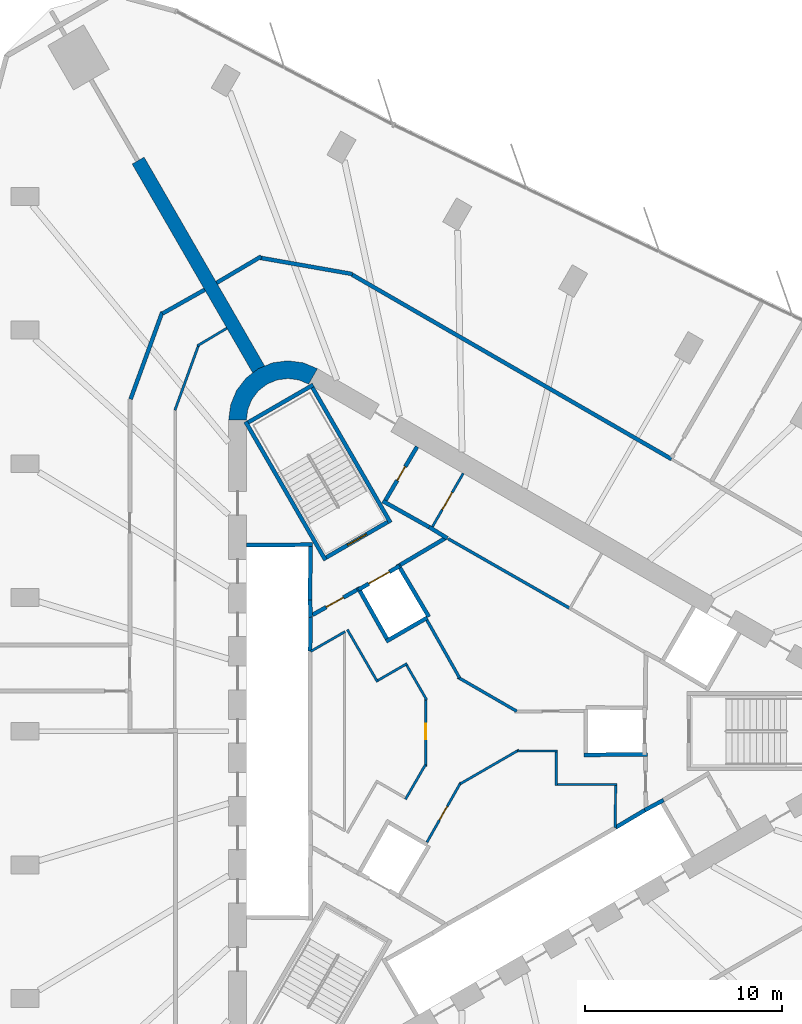
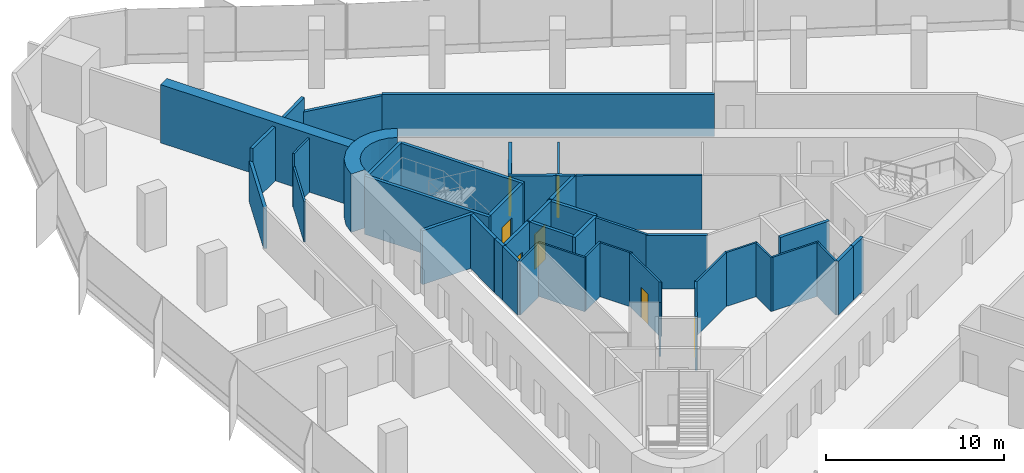
# One storey, part 10 of 13: 45 walls, 7 doors, 7 openings.
"""IFC4 building model written with IfcOpenShell, lengths in metres."""

from ifc_helpers import new_model, si_unit, direction, frame, frame_2d, origin, place, context, subcontext, project, spatial, polyline, rectangle, outline, extrude, material, layer, layer_set, type_object, element, fill, save


model = new_model("IFC4")

# Units and contexts
model_context = context("Model", 3, precision=1e-05, world=origin(), true_north=direction((0.0, 1.0)))
body_context = subcontext(model_context, "Body", "Model", "MODEL_VIEW")
ifc_project = project(units=[si_unit("LENGTHUNIT", "METRE"), si_unit("AREAUNIT", "SQUARE_METRE"), si_unit("VOLUMEUNIT", "CUBIC_METRE"), si_unit("PLANEANGLEUNIT", "RADIAN"), si_unit("MASSUNIT", "GRAM", prefix="KILO")], contexts=[model_context])

# Site, building, storey
site_placement = place(None, origin())
site = spatial("IfcSite", under=ifc_project, at=site_placement, CompositionType="ELEMENT")
building_placement = place(site_placement, origin())
building = spatial("IfcBuilding", under=site, at=building_placement, Name="Tanit Gate Tower", CompositionType="ELEMENT")
storey_placement = place(building_placement, frame((0.0, 0.0, 185.199951171875)))
storey = spatial("IfcBuildingStorey", under=building, at=storey_placement, Name="L40", CompositionType="ELEMENT", Elevation=185.199951171875)

# Walls
ifc_material_1 = material(Name="Concrete C50/60", Category="concrete")
ifc_layer_1 = layer(ifc_material_1, 0.699951171875)
ifc_layer_set_1 = layer_set([ifc_layer_1], Name="BUTTRESS FIN 700 C50/60")
wall_type_1 = type_object("IfcWallType", Name="BUTTRESS FIN 700 C50/60", PredefinedType="SHEAR", material=ifc_layer_set_1)
wall_1_placement = place(storey_placement, frame((-10.574951171875, 18.31640625, 0.0), z_axis=(0.0, 0.0, 1.0), x_axis=(-0.500002625756, 0.866023887798, 0.0)))
element("IfcWall", 1, at=wall_1_placement, inside=storey, type_object=wall_type_1, Name="BUTTRESS FIN", PredefinedType="SHEAR", context=body_context, shape_type="SweptSolid", body=[
    extrude(rectangle(XDim=12.2197265625, YDim=0.699951171875, at=frame_2d((6.10986328125, 0.0))), origin(), (0.0, 0.0, 1.0), 4.0),
])
ifc_material_2 = material(Name="Concrete C50/60", Category="concrete")
ifc_layer_2 = layer(ifc_material_2, 0.89990234375)
ifc_layer_set_2 = layer_set([ifc_layer_2], Name="CORE WALL 900 C50/60")
wall_type_2 = type_object("IfcWallType", Name="CORE WALL 900 C50/60", PredefinedType="SHEAR", material=ifc_layer_set_2)
wall_2_placement = place(storey_placement, origin())
element("IfcWall", 2, at=wall_2_placement, inside=storey, type_object=wall_type_2, Name="CORE WALL CORNER", PredefinedType="SHEAR", context=body_context, shape_type="SweptSolid", body=[
    extrude(outline(polyline([(-7.60009765625, 18.359619140625), (-8.323486328125, 18.659423828125), (-9.10009765625, 18.76171875), (-9.87646484375, 18.659423828125), (-10.60009765625, 18.359619140625), (-11.22119140625, 17.883056640625), (-11.697998046875, 17.26171875), (-11.997802734375, 16.5380859375), (-12.10009765625, 15.76171875), (-11.199951171875, 15.76171875), (-11.12841796875, 16.30517578125), (-10.918701171875, 16.811767578125), (-10.5849609375, 17.24658203125), (-10.14990234375, 17.580322265625), (-9.6435546875, 17.7900390625), (-9.10009765625, 17.86181640625), (-8.556396484375, 17.7900390625), (-8.050048828125, 17.580322265625), (-7.60009765625, 18.359619140625)])), origin(), (0.0, 0.0, 1.0), 4.0),
])
ifc_material_3 = material(Name="Fire-rated gypsum board partition")
ifc_layer_3 = layer(ifc_material_3, 0.199951171875)
ifc_layer_set_3 = layer_set([ifc_layer_3], Name="INT-WALL-COMPARTMENT")
wall_type_3 = type_object("IfcWallType", Name="INT-WALL-COMPARTMENT", PredefinedType="PARTITIONING", material=ifc_layer_set_3)
wall_3_placement = place(storey_placement, frame((-1.940673828125, 10.338623046875, 0.0), z_axis=(0.0, 0.0, 1.0), x_axis=(0.850216889117, -0.526432561171, 0.0)))
element("IfcWall", 3, at=wall_3_placement, inside=storey, type_object=wall_type_3, Name="Wall Compartment W053", PredefinedType="PARTITIONING", context=body_context, shape_type="SweptSolid", body=[
    extrude(rectangle(XDim=1.078369140625, YDim=0.199951171875, at=frame_2d((0.5390625, 0.0))), origin(), (0.0, 0.0, 1.0), 3.699951171875),
])
wall_4_placement = place(storey_placement, frame((-4.296142578125, 11.658935546875, 0.0), z_axis=(0.0, 0.0, 1.0), x_axis=(0.871534483978, -0.490334215854, 0.0)))
element("IfcWall", 4, at=wall_4_placement, inside=storey, type_object=wall_type_3, Name="Wall Compartment W055", PredefinedType="PARTITIONING", context=body_context, shape_type="SweptSolid", body=[
    extrude(rectangle(XDim=2.7001953125, YDim=0.199951171875, at=frame_2d((1.35009765625, 0.0))), origin(), (0.0, 0.0, 1.0), 3.699951171875),
])

# Wall, opening, door
wall_5_placement = place(storey_placement, frame((-2.557861328125, 14.409423828125, 0.0), z_axis=(0.0, 0.0, 1.0), x_axis=(-0.508018930956, -0.861345903683, 0.0)))
wall_5 = element("IfcWall", 5, at=wall_5_placement, inside=storey, type_object=wall_type_3, Name="Wall Compartment W056", PredefinedType="PARTITIONING", context=body_context, shape_type="SweptSolid", body=[
    extrude(rectangle(XDim=3.150146484375, YDim=0.199951171875, at=frame_2d((1.5751953125, 0.0))), origin(), (0.0, 0.0, 1.0), 3.699951171875),
])
opening_1_placement = place(wall_5_placement, frame((1.175048828125, 0.0, 0.0)))
opening_1 = element("IfcOpeningElement", 6, at=opening_1_placement, cuts=wall_5, Name="Opening R08-S10-15", PredefinedType="OPENING", context=body_context, shape_type="SweptSolid", body=[
    extrude(rectangle(XDim=0.800048828125, YDim=2.10009765625, at=frame_2d((0.39990234375, 1.050048828125))), frame((0.0, 0.10986328125, 0.0), z_axis=(0.0, -1.0, 0.0), x_axis=(1.0, 0.0, 0.0)), (0.0, 0.0, 1.0), 0.219970703125),
])
ifc_material_4 = material(Name="Timber door leaf", Category="wood")
door_type_1 = type_object("IfcDoorType", Name="INT-DOOR-RISER-800", OperationType="NOTDEFINED", PredefinedType="USERDEFINED", material=ifc_material_4)
door_1_placement = place(opening_1_placement, origin())
door_1 = element("IfcDoor", 7, at=door_1_placement, inside=storey, type_object=door_type_1, Name="Door R08-S10-15", ObjectType="FIRE DOOR", OperationType="SINGLE_SWING_RIGHT", OverallHeight=2.10009765625, OverallWidth=0.800048828125, PredefinedType="USERDEFINED", context=body_context, shape_type="SweptSolid", body=[
    extrude(rectangle(XDim=0.800048828125, YDim=2.10009765625, at=frame_2d((0.39990234375, 1.050048828125))), frame((0.0, 0.02490234375, 0.0), z_axis=(0.0, -1.0, 0.0), x_axis=(1.0, 0.0, 0.0)), (0.0, 0.0, 1.0), 0.050048828125),
])
fill(opening_1, door_1)

# Wall
wall_6_placement = place(storey_placement, frame((-1.0546875, 9.818359375, 0.0), z_axis=(0.0, 0.0, 1.0), x_axis=(-0.860614334655, -0.50925726994, 0.0)))
element("IfcWall", 8, at=wall_6_placement, inside=storey, type_object=wall_type_3, Name="Wall Compartment W061", PredefinedType="PARTITIONING", context=body_context, shape_type="SweptSolid", body=[
    extrude(rectangle(XDim=2.725830078125, YDim=0.199951171875, at=frame_2d((1.36279296875, 0.0))), origin(), (0.0, 0.0, 1.0), 3.699951171875),
])

# Wall, opening, door
wall_7_placement = place(storey_placement, frame((-5.600341796875, 7.16015625, 0.0), z_axis=(0.0, 0.0, 1.0), x_axis=(-0.871363259478, -0.490638431059, 0.0)))
wall_7 = element("IfcWall", 9, at=wall_7_placement, inside=storey, type_object=wall_type_3, Name="Wall Compartment W062", PredefinedType="PARTITIONING", context=body_context, shape_type="SweptSolid", body=[
    extrude(rectangle(XDim=2.5810546875, YDim=0.199951171875, at=frame_2d((1.29052734375, 0.0))), origin(), (0.0, 0.0, 1.0), 3.699951171875),
])
opening_2_placement = place(wall_7_placement, frame((0.79052734375, 0.0, 0.0)))
opening_2 = element("IfcOpeningElement", 10, at=opening_2_placement, cuts=wall_7, Name="Opening F10-S10-05", PredefinedType="OPENING", context=body_context, shape_type="SweptSolid", body=[
    extrude(rectangle(XDim=1.0, YDim=2.10009765625, at=frame_2d((0.5, 1.050048828125))), frame((0.0, 0.10986328125, 0.0), z_axis=(0.0, -1.0, 0.0), x_axis=(1.0, 0.0, 0.0)), (0.0, 0.0, 1.0), 0.219970703125),
])
ifc_material_5 = material(Name="Fire-rated steel door leaf", Category="steel")
door_type_2 = type_object("IfcDoorType", Name="INT-DOOR-FIRE-1000", OperationType="NOTDEFINED", PredefinedType="USERDEFINED", material=ifc_material_5)
door_2_placement = place(opening_2_placement, origin())
door_2 = element("IfcDoor", 11, at=door_2_placement, inside=storey, type_object=door_type_2, Name="Door F10-S10-05", ObjectType="FIRE DOOR", OperationType="SINGLE_SWING_RIGHT", OverallHeight=2.10009765625, OverallWidth=1.0, PredefinedType="USERDEFINED", context=body_context, shape_type="SweptSolid", body=[
    extrude(rectangle(XDim=1.0, YDim=2.10009765625, at=frame_2d((0.5, 1.050048828125))), frame((0.0, 0.02490234375, 0.0), z_axis=(0.0, -1.0, 0.0), x_axis=(1.0, 0.0, 0.0)), (0.0, 0.0, 1.0), 0.050048828125),
])
fill(opening_2, door_2)

# Walls
wall_8_placement = place(storey_placement, frame((-15.456298828125, 21.238525390625, 0.0), z_axis=(0.0, 0.0, 1.0), x_axis=(-0.34205546997, -0.939679762187, 0.0)))
element("IfcWall", 12, at=wall_8_placement, inside=storey, type_object=wall_type_3, Name="Wall Compartment W091", PredefinedType="PARTITIONING", context=body_context, shape_type="SweptSolid", body=[
    extrude(rectangle(XDim=4.705810546875, YDim=0.199951171875, at=frame_2d((2.35302734375, 0.0))), origin(), (0.0, 0.0, 1.0), 2.780029296875),
])
wall_9_placement = place(storey_placement, frame((-13.31298828125, 22.35888671875, 0.0), z_axis=(0.0, 0.0, 1.0), x_axis=(-0.87121710687, -0.490897904555, 0.0)))
element("IfcWall", 13, at=wall_9_placement, inside=storey, type_object=wall_type_3, Name="Wall Compartment W092", PredefinedType="PARTITIONING", context=body_context, shape_type="SweptSolid", body=[
    extrude(rectangle(XDim=2.457275390625, YDim=0.199951171875, at=frame_2d((1.228515625, 0.0))), origin(), (0.0, 0.0, 1.0), 3.699951171875),
])
wall_10_placement = place(storey_placement, frame((-10.449462890625, 24.0439453125, 0.0), z_axis=(0.0, 0.0, 1.0), x_axis=(-0.860744847861, -0.509036645912, 0.0)))
element("IfcWall", 14, at=wall_10_placement, inside=storey, type_object=wall_type_3, Name="Wall Compartment W097", PredefinedType="PARTITIONING", context=body_context, shape_type="SweptSolid", body=[
    extrude(rectangle(XDim=2.62255859375, YDim=0.199951171875, at=frame_2d((1.311279296875, 0.0))), origin(), (0.0, 0.0, 1.0), 3.699951171875),
])
wall_11_placement = place(storey_placement, frame((-5.833740234375, 23.153076171875, 0.0), z_axis=(0.0, 0.0, 1.0), x_axis=(-0.98481258102, 0.173620794447, 0.0)))
element("IfcWall", 15, at=wall_11_placement, inside=storey, type_object=wall_type_3, Name="Wall Compartment W098", PredefinedType="PARTITIONING", context=body_context, shape_type="SweptSolid", body=[
    extrude(rectangle(XDim=4.740234375, YDim=0.199951171875, at=frame_2d((2.3701171875, 0.0))), origin(), (0.0, 0.0, 1.0), 2.780029296875),
])
wall_12_placement = place(storey_placement, frame((10.325439453125, 13.783935546875, 0.0), z_axis=(0.0, 0.0, 1.0), x_axis=(-0.866025119466, 0.500000492453, 0.0)))
element("IfcWall", 16, at=wall_12_placement, inside=storey, type_object=wall_type_3, Name="Wall Compartment W099", PredefinedType="PARTITIONING", context=body_context, shape_type="SweptSolid", body=[
    extrude(rectangle(XDim=18.6728515625, YDim=0.199951171875, at=frame_2d((9.33642578125, 0.0))), origin(), (0.0, 0.0, 1.0), 2.880126953125),
])

# Wall, opening, door
ifc_material_6 = material(Name="Gypsum board partition")
ifc_layer_4 = layer(ifc_material_6, 0.1201171875)
ifc_layer_set_4 = layer_set([ifc_layer_4], Name="INT-WALL-PARTITION")
wall_type_4 = type_object("IfcWallType", Name="INT-WALL-PARTITION", PredefinedType="PARTITIONING", material=ifc_layer_set_4)
wall_13_placement = place(storey_placement, frame((-0.2197265625, 13.0595703125, 0.0), z_axis=(0.0, 0.0, 1.0), x_axis=(-0.499984717929, -0.866034226713, 0.0)))
wall_13 = element("IfcWall", 17, at=wall_13_placement, inside=storey, type_object=wall_type_4, Name="Wall Partition W052", PredefinedType="PARTITIONING", context=body_context, shape_type="SweptSolid", body=[
    extrude(rectangle(XDim=3.25, YDim=0.1201171875, at=frame_2d((1.625, 0.0))), origin(), (0.0, 0.0, 1.0), 3.699951171875),
])
opening_3_placement = place(wall_13_placement, frame((1.125, 0.0, 0.0)))
opening_3 = element("IfcOpeningElement", 18, at=opening_3_placement, cuts=wall_13, Name="Opening D10-S10-31", PredefinedType="OPENING", context=body_context, shape_type="SweptSolid", body=[
    extrude(rectangle(XDim=1.0, YDim=2.10009765625, at=frame_2d((0.5, 1.050048828125))), frame((0.0, 0.070068359375, 0.0), z_axis=(0.0, -1.0, 0.0), x_axis=(1.0, 0.0, 0.0)), (0.0, 0.0, 1.0), 0.14013671875),
])
ifc_material_7 = material(Name="Timber door leaf", Category="wood")
door_type_3 = type_object("IfcDoorType", Name="INT-DOOR-SINGLE-1000", OperationType="NOTDEFINED", PredefinedType="NOTDEFINED", material=ifc_material_7)
door_3_placement = place(opening_3_placement, origin())
door_3 = element("IfcDoor", 19, at=door_3_placement, inside=storey, type_object=door_type_3, Name="Door D10-S10-31", OperationType="SINGLE_SWING_RIGHT", OverallHeight=2.10009765625, OverallWidth=1.0, PredefinedType="NOTDEFINED", context=body_context, shape_type="SweptSolid", body=[
    extrude(rectangle(XDim=1.0, YDim=2.10009765625, at=frame_2d((0.5, 1.050048828125))), frame((0.0, 0.02490234375, 0.0), z_axis=(0.0, -1.0, 0.0), x_axis=(1.0, 0.0, 0.0)), (0.0, 0.0, 1.0), 0.050048828125),
])
fill(opening_3, door_3)

wall_14_placement = place(storey_placement, frame((-0.339599609375, -2.58642578125, 0.0), z_axis=(0.0, 0.0, 1.0), x_axis=(-0.492647196214, -0.870229130782, 0.0)))
wall_14 = element("IfcWall", 20, at=wall_14_placement, inside=storey, type_object=wall_type_4, Name="Wall Partition W068", PredefinedType="PARTITIONING", context=body_context, shape_type="SweptSolid", body=[
    extrude(rectangle(XDim=3.490234375, YDim=0.1201171875, at=frame_2d((1.7451171875, 0.0))), origin(), (0.0, 0.0, 1.0), 3.699951171875),
])
opening_4_placement = place(wall_14_placement, frame((1.396240234375, 0.0, 0.0)))
opening_4 = element("IfcOpeningElement", 21, at=opening_4_placement, cuts=wall_14, Name="Opening R08-S10-11", PredefinedType="OPENING", context=body_context, shape_type="SweptSolid", body=[
    extrude(rectangle(XDim=0.800048828125, YDim=2.10009765625, at=frame_2d((0.39990234375, 1.050048828125))), frame((0.0, 0.070068359375, 0.0), z_axis=(0.0, -1.0, 0.0), x_axis=(1.0, 0.0, 0.0)), (0.0, 0.0, 1.0), 0.14013671875),
])
door_4_placement = place(opening_4_placement, origin())
door_4 = element("IfcDoor", 22, at=door_4_placement, inside=storey, type_object=door_type_1, Name="Door R08-S10-11", ObjectType="FIRE DOOR", OperationType="SINGLE_SWING_RIGHT", OverallHeight=2.10009765625, OverallWidth=0.800048828125, PredefinedType="USERDEFINED", context=body_context, shape_type="SweptSolid", body=[
    extrude(rectangle(XDim=0.800048828125, YDim=2.10009765625, at=frame_2d((0.39990234375, 1.050048828125))), frame((0.0, 0.02490234375, 0.0), z_axis=(0.0, -1.0, 0.0), x_axis=(1.0, 0.0, 0.0)), (0.0, 0.0, 1.0), 0.050048828125),
])
fill(opening_4, door_4)

# Walls
wall_15_placement = place(storey_placement, frame((2.6015625, -0.947998046875, 0.0), z_axis=(0.0, 0.0, 1.0), x_axis=(-0.866025804792, -0.499999305434, 0.0)))
element("IfcWall", 23, at=wall_15_placement, inside=storey, type_object=wall_type_4, Name="Wall Partition W069", PredefinedType="PARTITIONING", context=body_context, shape_type="SweptSolid", body=[
    extrude(rectangle(XDim=3.43505859375, YDim=0.1201171875, at=frame_2d((1.717529296875, 0.0))), origin(), (0.0, 0.0, 1.0), 3.699951171875),
])
wall_16_placement = place(storey_placement, frame((4.56005859375, -1.0, 0.0), z_axis=(0.0, 0.0, 1.0), x_axis=(-1.0, 0.0, 0.0)))
element("IfcWall", 24, at=wall_16_placement, inside=storey, type_object=wall_type_4, Name="Wall Partition W070", PredefinedType="PARTITIONING", context=body_context, shape_type="SweptSolid", body=[
    extrude(rectangle(XDim=2.030029296875, YDim=0.1201171875, at=frame_2d((1.01513671875, 0.0))), origin(), (0.0, 0.0, 1.0), 3.699951171875),
])
wall_17_placement = place(storey_placement, frame((4.5, -2.760009765625, 0.0), z_axis=(0.0, 0.0, 1.0), x_axis=(0.0, 1.0, 0.0)))
element("IfcWall", 25, at=wall_17_placement, inside=storey, type_object=wall_type_4, Name="Wall Partition W071", PredefinedType="PARTITIONING", context=body_context, shape_type="SweptSolid", body=[
    extrude(rectangle(XDim=1.699951171875, YDim=0.1201171875, at=frame_2d((0.85009765625, 0.0))), origin(), (0.0, 0.0, 1.0), 3.699951171875),
])
wall_18_placement = place(storey_placement, frame((7.56005859375, -2.699951171875, 0.0), z_axis=(0.0, 0.0, 1.0), x_axis=(-1.0, 0.0, 0.0)))
element("IfcWall", 26, at=wall_18_placement, inside=storey, type_object=wall_type_4, Name="Wall Partition W072", PredefinedType="PARTITIONING", context=body_context, shape_type="SweptSolid", body=[
    extrude(rectangle(XDim=3.0, YDim=0.1201171875, at=frame_2d((1.5, 0.0))), origin(), (0.0, 0.0, 1.0), 3.699951171875),
])
wall_19_placement = place(storey_placement, frame((7.474609375, -4.864501953125, 0.0), z_axis=(0.0, 0.0, 1.0), x_axis=(0.011716133148, 0.999931363757, 0.0)))
element("IfcWall", 27, at=wall_19_placement, inside=storey, type_object=wall_type_4, Name="Wall Partition W073", PredefinedType="PARTITIONING", context=body_context, shape_type="SweptSolid", body=[
    extrude(rectangle(XDim=2.104736328125, YDim=0.1201171875, at=frame_2d((1.05224609375, 0.0))), origin(), (0.0, 0.0, 1.0), 3.699951171875),
])
wall_20_placement = place(storey_placement, frame((-6.201416015625, 5.045654296875, 0.0), z_axis=(0.0, 0.0, 1.0), x_axis=(-0.867071050325, -0.498184497639, 0.0)))
element("IfcWall", 28, at=wall_20_placement, inside=storey, type_object=wall_type_4, Name="Wall Partition W076", PredefinedType="PARTITIONING", context=body_context, shape_type="SweptSolid", body=[
    extrude(rectangle(XDim=2.0166015625, YDim=0.1201171875, at=frame_2d((1.00830078125, 0.0))), origin(), (0.0, 0.0, 1.0), 3.699951171875),
])
wall_21_placement = place(storey_placement, frame((-4.558349609375, 2.4951171875, 0.0), z_axis=(0.0, 0.0, 1.0), x_axis=(-0.499991792115, 0.866030142557, 0.0)))
element("IfcWall", 29, at=wall_21_placement, inside=storey, type_object=wall_type_4, Name="Wall Partition W077", PredefinedType="PARTITIONING", context=body_context, shape_type="SweptSolid", body=[
    extrude(rectangle(XDim=3.06005859375, YDim=0.1201171875, at=frame_2d((1.530029296875, 0.0))), origin(), (0.0, 0.0, 1.0), 3.699951171875),
])
wall_22_placement = place(storey_placement, frame((-3.06396484375, 3.427001953125, 0.0), z_axis=(0.0, 0.0, 1.0), x_axis=(-0.866087547558, -0.499892348375, 0.0)))
element("IfcWall", 30, at=wall_22_placement, inside=storey, type_object=wall_type_4, Name="Wall Partition W078", PredefinedType="PARTITIONING", context=body_context, shape_type="SweptSolid", body=[
    extrude(rectangle(XDim=1.699951171875, YDim=0.1201171875, at=frame_2d((0.85009765625, 0.0))), origin(), (0.0, 0.0, 1.0), 3.699951171875),
])
wall_23_placement = place(storey_placement, frame((-2.06982421875, 1.5849609375, 0.0), z_axis=(0.0, 0.0, 1.0), x_axis=(-0.499937346687, 0.86606157367, 0.0)))
element("IfcWall", 31, at=wall_23_placement, inside=storey, type_object=wall_type_4, Name="Wall Partition W079", PredefinedType="PARTITIONING", context=body_context, shape_type="SweptSolid", body=[
    extrude(rectangle(XDim=2.032470703125, YDim=0.1201171875, at=frame_2d((1.01611328125, 0.0))), origin(), (0.0, 0.0, 1.0), 3.699951171875),
])

# Wall, opening, door
wall_24_placement = place(storey_placement, frame((-2.121826171875, -1.77880859375, 0.0), z_axis=(0.0, 0.0, 1.0), x_axis=(0.0, 1.0, 0.0)))
wall_24 = element("IfcWall", 32, at=wall_24_placement, inside=storey, type_object=wall_type_4, Name="Wall Partition W080", PredefinedType="PARTITIONING", context=body_context, shape_type="SweptSolid", body=[
    extrude(rectangle(XDim=3.435302734375, YDim=0.1201171875, at=frame_2d((1.7177734375, 0.0))), origin(), (0.0, 0.0, 1.0), 3.699951171875),
])
opening_5_placement = place(wall_24_placement, frame((1.36962890625, 0.0, 0.0)))
opening_5 = element("IfcOpeningElement", 33, at=opening_5_placement, cuts=wall_24, Name="Opening R08-S10-13", PredefinedType="OPENING", context=body_context, shape_type="SweptSolid", body=[
    extrude(rectangle(XDim=0.800048828125, YDim=2.10009765625, at=frame_2d((0.39990234375, 1.050048828125))), frame((0.0, 0.070068359375, 0.0), z_axis=(0.0, -1.0, 0.0), x_axis=(1.0, 0.0, 0.0)), (0.0, 0.0, 1.0), 0.14013671875),
])
door_5_placement = place(opening_5_placement, origin())
door_5 = element("IfcDoor", 34, at=door_5_placement, inside=storey, type_object=door_type_1, Name="Door R08-S10-13", ObjectType="FIRE DOOR", OperationType="SINGLE_SWING_RIGHT", OverallHeight=2.10009765625, OverallWidth=0.800048828125, PredefinedType="USERDEFINED", context=body_context, shape_type="SweptSolid", body=[
    extrude(rectangle(XDim=0.800048828125, YDim=2.10009765625, at=frame_2d((0.39990234375, 1.050048828125))), frame((0.0, 0.02490234375, 0.0), z_axis=(0.0, -1.0, 0.0), x_axis=(1.0, 0.0, 0.0)), (0.0, 0.0, 1.0), 0.050048828125),
])
fill(opening_5, door_5)

# Walls
wall_25_placement = place(storey_placement, frame((-3.14599609375, -3.448974609375, 0.0), z_axis=(0.0, 0.0, 1.0), x_axis=(0.500007041985, 0.866021338054, 0.0)))
element("IfcWall", 35, at=wall_25_placement, inside=storey, type_object=wall_type_4, Name="Wall Partition W081", PredefinedType="PARTITIONING", context=body_context, shape_type="SweptSolid", body=[
    extrude(rectangle(XDim=2.02978515625, YDim=0.1201171875, at=frame_2d((1.014892578125, 0.0))), origin(), (0.0, 0.0, 1.0), 3.699951171875),
])
wall_26_placement = place(storey_placement, frame((-12.188720703125, 20.411376953125, 0.0), z_axis=(0.0, 0.0, 1.0), x_axis=(-0.858492721014, -0.51282574815, 0.0)))
element("IfcWall", 36, at=wall_26_placement, inside=storey, type_object=wall_type_4, Name="Wall Partition W084", PredefinedType="PARTITIONING", context=body_context, shape_type="SweptSolid", body=[
    extrude(rectangle(XDim=1.742431640625, YDim=0.1201171875, at=frame_2d((0.87109375, 0.0))), origin(), (0.0, 0.0, 1.0), 3.699951171875),
])
wall_27_placement = place(storey_placement, frame((-13.630615234375, 19.529541015625, 0.0), z_axis=(0.0, 0.0, 1.0), x_axis=(-0.342069878069, -0.939674517329, 0.0)))
element("IfcWall", 37, at=wall_27_placement, inside=storey, type_object=wall_type_4, Name="Wall Partition W085", PredefinedType="PARTITIONING", context=body_context, shape_type="SweptSolid", body=[
    extrude(rectangle(XDim=3.478759765625, YDim=0.1201171875, at=frame_2d((1.7392578125, 0.0))), origin(), (0.0, 0.0, 1.0), 2.780029296875),
])
ifc_material_8 = material(Name="Fire-rated gypsum board partition")
ifc_layer_5 = layer(ifc_material_8, 0.14990234375)
ifc_layer_set_5 = layer_set([ifc_layer_5], Name="INT-WALL-RISER")
wall_type_5 = type_object("IfcWallType", Name="INT-WALL-RISER", PredefinedType="PLUMBINGWALL", material=ifc_layer_set_5)
wall_28_placement = place(storey_placement, frame((5.1591796875, 6.23583984375, 0.0), z_axis=(0.0, 0.0, 1.0), x_axis=(-0.868105023632, 0.496380567654, 0.0)))
element("IfcWall", 38, at=wall_28_placement, inside=storey, type_object=wall_type_5, Name="Wall Riser W054", PredefinedType="PLUMBINGWALL", context=body_context, shape_type="SweptSolid", body=[
    extrude(rectangle(XDim=7.072265625, YDim=0.14990234375, at=frame_2d((3.5361328125, 0.0))), origin(), (0.0, 0.0, 1.0), 3.699951171875),
])
wall_29_placement = place(storey_placement, frame((-0.5, 2.73876953125, 0.0), z_axis=(0.0, 0.0, 1.0), x_axis=(0.866029020252, -0.499993736042, 0.0)))
element("IfcWall", 39, at=wall_29_placement, inside=storey, type_object=wall_type_5, Name="Wall Riser W066", PredefinedType="PLUMBINGWALL", context=body_context, shape_type="SweptSolid", body=[
    extrude(rectangle(XDim=3.45361328125, YDim=0.14990234375, at=frame_2d((1.726806640625, 0.0))), origin(), (0.0, 0.0, 1.0), 3.699951171875),
])
wall_30_placement = place(storey_placement, frame((-2.05908203125, 5.623779296875, 0.0), z_axis=(0.0, 0.0, 1.0), x_axis=(0.49265005812, -0.870227510617, 0.0)))
element("IfcWall", 40, at=wall_30_placement, inside=storey, type_object=wall_type_5, Name="Wall Riser W067", PredefinedType="PLUMBINGWALL", context=body_context, shape_type="SweptSolid", body=[
    extrude(rectangle(XDim=3.364990234375, YDim=0.14990234375, at=frame_2d((1.6826171875, 0.0))), origin(), (0.0, 0.0, 1.0), 3.699951171875),
])
ifc_material_9 = material(Name="Gypsum shaft wall system")
ifc_layer_6 = layer(ifc_material_9, 0.199951171875)
ifc_layer_set_6 = layer_set([ifc_layer_6], Name="INT-WALL-SHAFT")
wall_type_6 = type_object("IfcWallType", Name="INT-WALL-SHAFT", PredefinedType="PLUMBINGWALL", material=ifc_layer_set_6)
wall_31_placement = place(storey_placement, frame((-11.199951171875, 9.419921875, 0.0), z_axis=(0.0, 0.0, 1.0), x_axis=(0.999957167047, 0.009255488683, 0.0)))
element("IfcWall", 41, at=wall_31_placement, inside=storey, type_object=wall_type_6, Name="Wall Shaft W001", PredefinedType="PLUMBINGWALL", context=body_context, shape_type="SweptSolid", body=[
    extrude(rectangle(XDim=3.35009765625, YDim=0.199951171875, at=frame_2d((1.675048828125, 0.0))), origin(), (0.0, 0.0, 1.0), 3.699951171875),
])
wall_32_placement = place(storey_placement, frame((-7.951171875, 9.35009765625, 0.0), z_axis=(0.0, 0.0, 1.0), x_axis=(-0.011120469654, -0.999938165666, 0.0)))
element("IfcWall", 42, at=wall_32_placement, inside=storey, type_object=wall_type_6, Name="Wall Shaft W002", PredefinedType="PLUMBINGWALL", context=body_context, shape_type="SweptSolid", body=[
    extrude(rectangle(XDim=2.700439453125, YDim=0.199951171875, at=frame_2d((1.35009765625, 0.0))), origin(), (0.0, 0.0, 1.0), 3.699951171875),
])
wall_33_placement = place(storey_placement, frame((-7.97705078125, 6.650146484375, 0.0), z_axis=(0.0, 0.0, 1.0), x_axis=(0.030861509705, -0.999523670164, 0.0)))
element("IfcWall", 43, at=wall_33_placement, inside=storey, type_object=wall_type_6, Name="Wall Shaft W003", PredefinedType="PLUMBINGWALL", context=body_context, shape_type="SweptSolid", body=[
    extrude(rectangle(XDim=0.878173828125, YDim=0.199951171875, at=frame_2d((0.43896484375, 0.0))), origin(), (0.0, 0.0, 1.0), 3.699951171875),
])
wall_34_placement = place(storey_placement, frame((-7.94921875, 5.894775390625, 0.0), z_axis=(0.0, 0.0, 1.0), x_axis=(-0.012042535896, -0.999927486035, 0.0)))
element("IfcWall", 44, at=wall_34_placement, inside=storey, type_object=wall_type_6, Name="Wall Shaft W004", PredefinedType="PLUMBINGWALL", context=body_context, shape_type="SweptSolid", body=[
    extrude(rectangle(XDim=1.844970703125, YDim=0.199951171875, at=frame_2d((0.92236328125, 0.0))), origin(), (0.0, 0.0, 1.0), 3.699951171875),
])
wall_35_placement = place(storey_placement, frame((8.97412109375, -3.998779296875, 0.0), z_axis=(0.0, 0.0, 1.0), x_axis=(0.880907015104, 0.473289373154, 0.0)))
element("IfcWall", 45, at=wall_35_placement, inside=storey, type_object=wall_type_6, Name="Wall Shaft W017", PredefinedType="PLUMBINGWALL", context=body_context, shape_type="SweptSolid", body=[
    extrude(rectangle(XDim=1.078125, YDim=0.199951171875, at=frame_2d((0.5390625, 0.0))), origin(), (0.0, 0.0, 1.0), 3.699951171875),
])
wall_36_placement = place(storey_placement, frame((7.4931640625, -4.87841796875, 0.0), z_axis=(0.0, 0.0, 1.0), x_axis=(0.859981807212, 0.510324691999, 0.0)))
element("IfcWall", 46, at=wall_36_placement, inside=storey, type_object=wall_type_6, Name="Wall Shaft W018", PredefinedType="PLUMBINGWALL", context=body_context, shape_type="SweptSolid", body=[
    extrude(rectangle(XDim=1.8447265625, YDim=0.199951171875, at=frame_2d((0.92236328125, 0.0))), origin(), (0.0, 0.0, 1.0), 3.699951171875),
])
wall_37_placement = place(storey_placement, frame((5.89990234375, -1.200927734375, 0.0), z_axis=(0.0, 0.0, 1.0), x_axis=(0.999950064753, 0.009993397809, 0.0)))
element("IfcWall", 47, at=wall_37_placement, inside=storey, type_object=wall_type_6, Name="Wall Shaft W031", PredefinedType="PLUMBINGWALL", context=body_context, shape_type="SweptSolid", body=[
    extrude(rectangle(XDim=3.200439453125, YDim=0.199951171875, at=frame_2d((1.60009765625, 0.0))), origin(), (0.0, 0.0, 1.0), 3.699951171875),
])

# Wall, opening, door
wall_38_placement = place(storey_placement, frame((-5.524169921875, 7.168212890625, 0.0), z_axis=(0.0, 0.0, 1.0), x_axis=(0.866024647952, 0.500001309137, 0.0)))
wall_38 = element("IfcWall", 48, at=wall_38_placement, inside=storey, type_object=wall_type_6, Name="Wall Shaft W037", PredefinedType="PLUMBINGWALL", context=body_context, shape_type="SweptSolid", body=[
    extrude(rectangle(XDim=2.39990234375, YDim=0.199951171875, at=frame_2d((1.199951171875, 0.0))), origin(), (0.0, 0.0, 1.0), 3.699951171875),
])
opening_6_placement = place(wall_38_placement, frame((0.60009765625, 0.0, 0.0)))
opening_6 = element("IfcOpeningElement", 49, at=opening_6_placement, cuts=wall_38, Name="Opening LDFL2-L40", PredefinedType="OPENING", context=body_context, shape_type="SweptSolid", body=[
    extrude(rectangle(XDim=1.199951171875, YDim=2.39990234375, at=frame_2d((0.60009765625, 1.199951171875))), frame((0.0, 0.10986328125, 0.0), z_axis=(0.0, -1.0, 0.0), x_axis=(1.0, 0.0, 0.0)), (0.0, 0.0, 1.0), 0.219970703125),
])
ifc_material_10 = material(Name="Stainless steel sliding door leaf", Category="steel")
door_type_4 = type_object("IfcDoorType", Name="INT-DOOR-LANDING-1200", OperationType="NOTDEFINED", PredefinedType="USERDEFINED", material=ifc_material_10)
door_6_placement = place(opening_6_placement, origin())
door_6 = element("IfcDoor", 50, at=door_6_placement, inside=storey, type_object=door_type_4, Name="Door LDFL2-L40", ObjectType="LANDING DOOR", OperationType="SLIDING_TO_LEFT", OverallHeight=2.39990234375, OverallWidth=1.199951171875, PredefinedType="USERDEFINED", context=body_context, shape_type="SweptSolid", body=[
    extrude(rectangle(XDim=1.199951171875, YDim=2.39990234375, at=frame_2d((0.60009765625, 1.199951171875))), frame((0.0, 0.02490234375, 0.0), z_axis=(0.0, -1.0, 0.0), x_axis=(1.0, 0.0, 0.0)), (0.0, 0.0, 1.0), 0.050048828125),
])
fill(opening_6, door_6)

# Walls
wall_39_placement = place(storey_placement, frame((-3.53759765625, 8.46533203125, 0.0), z_axis=(0.0, 0.0, 1.0), x_axis=(0.508647062354, -0.860975125052, 0.0)))
element("IfcWall", 51, at=wall_39_placement, inside=storey, type_object=wall_type_6, Name="Wall Shaft W038", PredefinedType="PLUMBINGWALL", context=body_context, shape_type="SweptSolid", body=[
    extrude(rectangle(XDim=3.10009765625, YDim=0.199951171875, at=frame_2d((1.550048828125, 0.0))), origin(), (0.0, 0.0, 1.0), 3.699951171875),
])
wall_40_placement = place(storey_placement, frame((-2.04345703125, 5.748291015625, 0.0), z_axis=(0.0, 0.0, 1.0), x_axis=(-0.866035096217, -0.499983211839, 0.0)))
element("IfcWall", 52, at=wall_40_placement, inside=storey, type_object=wall_type_6, Name="Wall Shaft W039", PredefinedType="PLUMBINGWALL", context=body_context, shape_type="SweptSolid", body=[
    extrude(rectangle(XDim=2.404296875, YDim=0.199951171875, at=frame_2d((1.2021484375, 0.0))), origin(), (0.0, 0.0, 1.0), 3.699951171875),
])
wall_41_placement = place(storey_placement, frame((-5.5625, 7.29638671875, 0.0), z_axis=(0.0, 0.0, 1.0), x_axis=(0.49134651263, -0.870964180966, 0.0)))
element("IfcWall", 53, at=wall_41_placement, inside=storey, type_object=wall_type_6, Name="Wall Shaft W040", PredefinedType="PLUMBINGWALL", context=body_context, shape_type="SweptSolid", body=[
    extrude(rectangle(XDim=3.000244140625, YDim=0.199951171875, at=frame_2d((1.5, 0.0))), origin(), (0.0, 0.0, 1.0), 3.699951171875),
])
ifc_material_11 = material(Name="Concrete C40/50", Category="concrete")
ifc_layer_7 = layer(ifc_material_11, 0.199951171875)
ifc_layer_set_7 = layer_set([ifc_layer_7], Name="INT-WALL-STAIR")
wall_type_7 = type_object("IfcWallType", Name="INT-WALL-STAIR", PredefinedType="SHEAR", material=ifc_layer_set_7)
wall_42_placement = place(storey_placement, frame((-11.245361328125, 15.677734375, -0.300048828125), z_axis=(0.0, 0.0, 1.0), x_axis=(0.499977274689, -0.866038523851, 0.0)))
element("IfcWall", 54, at=wall_42_placement, inside=storey, type_object=wall_type_7, Name="Wall Stair W033", PredefinedType="SHEAR", context=body_context, shape_type="SweptSolid", body=[
    extrude(rectangle(XDim=8.10009765625, YDim=0.199951171875, at=frame_2d((4.050048828125, 0.0))), origin(), (0.0, 0.0, 1.0), 4.0),
])
wall_43_placement = place(storey_placement, frame((-7.81787109375, 17.541015625, -0.300048828125), z_axis=(0.0, 0.0, 1.0), x_axis=(-0.866044365799, -0.499967155389, 0.0)))
element("IfcWall", 55, at=wall_43_placement, inside=storey, type_object=wall_type_7, Name="Wall Stair W034", PredefinedType="SHEAR", context=body_context, shape_type="SweptSolid", body=[
    extrude(rectangle(XDim=3.800048828125, YDim=0.199951171875, at=frame_2d((1.89990234375, 0.0))), origin(), (0.0, 0.0, 1.0), 4.0),
])
wall_44_placement = place(storey_placement, frame((-7.8544921875, 17.404541015625, -0.300048828125), z_axis=(0.0, 0.0, 1.0), x_axis=(0.499997992926, -0.866026562566, 0.0)))
element("IfcWall", 56, at=wall_44_placement, inside=storey, type_object=wall_type_7, Name="Wall Stair W035", PredefinedType="SHEAR", context=body_context, shape_type="SweptSolid", body=[
    extrude(rectangle(XDim=7.89990234375, YDim=0.199951171875, at=frame_2d((3.949951171875, 0.0))), origin(), (0.0, 0.0, 1.0), 4.0),
])

# Wall, opening, door
wall_45_placement = place(storey_placement, frame((-7.158935546875, 8.799560546875, -0.300048828125), z_axis=(0.0, 0.0, 1.0), x_axis=(0.866047807691, 0.499961193289, 0.0)))
wall_45 = element("IfcWall", 57, at=wall_45_placement, inside=storey, type_object=wall_type_7, Name="Wall Stair W036", PredefinedType="SHEAR", context=body_context, shape_type="SweptSolid", body=[
    extrude(rectangle(XDim=3.599853515625, YDim=0.199951171875, at=frame_2d((1.7998046875, 0.0))), origin(), (0.0, 0.0, 1.0), 4.0),
])
opening_7_placement = place(wall_45_placement, frame((1.25, 0.0, 0.300048828125)))
opening_7 = element("IfcOpeningElement", 58, at=opening_7_placement, cuts=wall_45, Name="Opening S11-S10-04", PredefinedType="OPENING", context=body_context, shape_type="SweptSolid", body=[
    extrude(rectangle(XDim=1.10009765625, YDim=2.10009765625, at=frame_2d((0.550048828125, 1.050048828125))), frame((0.0, 0.10986328125, 0.0), z_axis=(0.0, -1.0, 0.0), x_axis=(1.0, 0.0, 0.0)), (0.0, 0.0, 1.0), 0.219970703125),
])
ifc_material_12 = material(Name="Timber door leaf", Category="wood")
door_type_5 = type_object("IfcDoorType", Name="INT-DOOR-STAIR-1100", OperationType="NOTDEFINED", PredefinedType="USERDEFINED", material=ifc_material_12)
door_7_placement = place(opening_7_placement, origin())
door_7 = element("IfcDoor", 59, at=door_7_placement, inside=storey, type_object=door_type_5, Name="Door S11-S10-04", ObjectType="FIRE DOOR", OperationType="SINGLE_SWING_LEFT", OverallHeight=2.10009765625, OverallWidth=1.10009765625, PredefinedType="USERDEFINED", context=body_context, shape_type="SweptSolid", body=[
    extrude(rectangle(XDim=1.10009765625, YDim=2.10009765625, at=frame_2d((0.550048828125, 1.050048828125))), frame((0.0, 0.02490234375, 0.0), z_axis=(0.0, -1.0, 0.0), x_axis=(1.0, 0.0, 0.0)), (0.0, 0.0, 1.0), 0.050048828125),
])
fill(opening_7, door_7)

save(model, "model.ifc")
